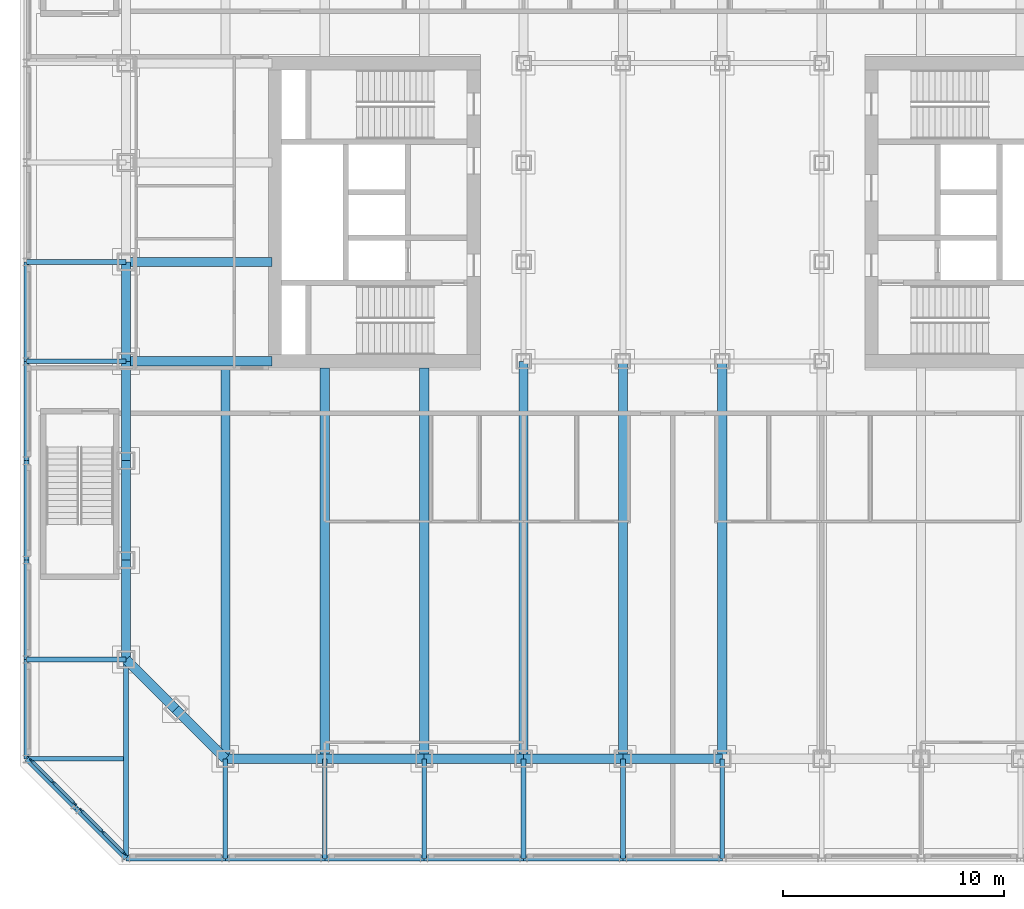
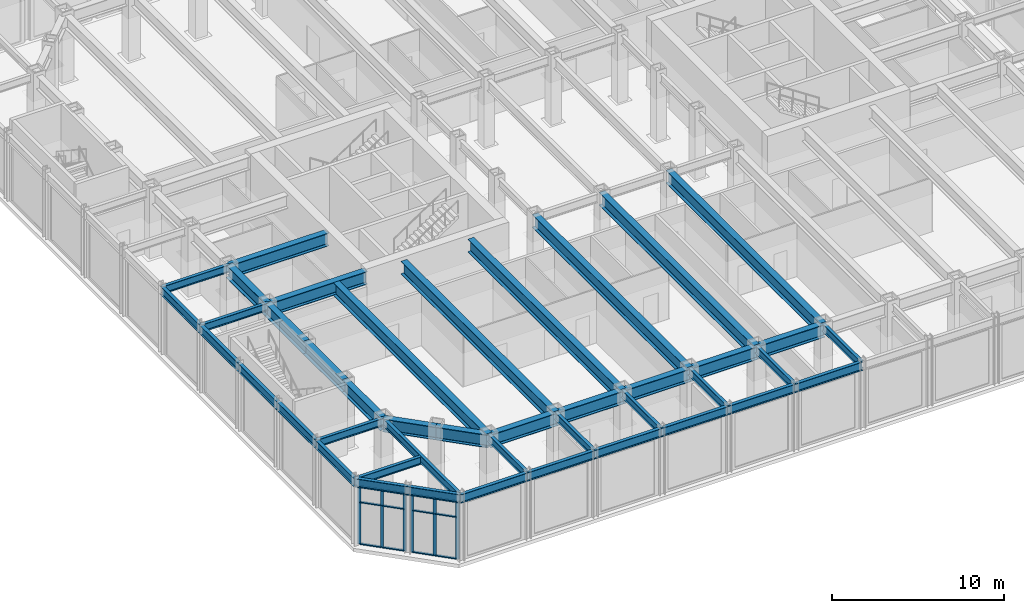
# One storey, part 4 of 19: 43 beams, 18 members, 2 elements without a shape of their own.
"""IFC4 building model written with IfcOpenShell, lengths in metres."""

from ifc_helpers import new_model, si_unit, direction, frame, origin, origin_2d, place, context, subcontext, project, spatial, rectangle, i_section, extrude, material, material_profile, profile_set, type_object, element, aggregate, save


model = new_model("IFC4")

# Units and contexts
model_context = context("Model", 3, precision=1e-05, world=origin(), true_north=direction((0.0, 1.0)))
body_context = subcontext(model_context, "Body", "Model", "MODEL_VIEW")
ifc_project = project(units=[si_unit("LENGTHUNIT", "METRE"), si_unit("AREAUNIT", "SQUARE_METRE"), si_unit("VOLUMEUNIT", "CUBIC_METRE"), si_unit("PLANEANGLEUNIT", "RADIAN"), si_unit("MASSUNIT", "GRAM", prefix="KILO")], contexts=[model_context])

# Site, building, storey
site_placement = place(None, origin())
site = spatial("IfcSite", under=ifc_project, at=site_placement, CompositionType="ELEMENT")
building_placement = place(site_placement, origin())
building = spatial("IfcBuilding", under=site, at=building_placement, Name="Msasa Ring Tower", CompositionType="ELEMENT")
storey_placement = place(building_placement, frame((0.0, 0.0, 11.0)))
storey = spatial("IfcBuildingStorey", under=building, at=storey_placement, Name="L02", CompositionType="ELEMENT", Elevation=11.0)

# Curtain wall, members
ifc_material_1 = material(Name="Aluminium curtain wall with clear glass", Category="aluminium")
curtain_wall_type = type_object("IfcCurtainWallType", Name="CW-K PODIUM CORNER CURTAIN WALL", PredefinedType="NOTDEFINED", material=ifc_material_1)
curtain_wall_1_placement = place(storey_placement, origin())
curtain_wall_1 = element("IfcCurtainWall", 1, at=curtain_wall_1_placement, inside=storey, type_object=curtain_wall_type, Name="Podium corner curtain wall SW L02", PredefinedType="NOTDEFINED")
ifc_material_2 = material(Name="Aluminium mullion", Category="aluminium")
ifc_material_profile_1 = material_profile(ifc_material_2, rectangle(XDim=0.070068359375, YDim=0.199951171875, at=origin_2d()), Name="AL 70x200")
ifc_profile_set_1 = profile_set([ifc_material_profile_1], Name="Aluminium mullion")
member_type_1 = type_object("IfcMemberType", Name="CW-K MULLION 70x200", PredefinedType="MULLION", material=ifc_profile_set_1)
member_1_placement = place(storey_placement, frame((-29.02197265625, -24.836669921875, 0.0), z_axis=(0.0, 0.0, 1.0), x_axis=(0.707106781187, 0.707106781187, 0.0)))
member_1 = element("IfcMember", 2, at=member_1_placement, type_object=member_type_1, Name="CW-K mullion 1", PredefinedType="MULLION", context=body_context, shape_type="SweptSolid", body=[
    extrude(rectangle(XDim=0.070068359375, YDim=0.199951171875, at=origin_2d()), origin(), (0.0, 0.0, 1.0), 4.1328125),
])
member_2_placement = place(storey_placement, frame((-28.05419921875, -25.80419921875, 0.0), z_axis=(0.0, 0.0, 1.0), x_axis=(0.707106781187, 0.707106781187, 0.0)))
member_2 = element("IfcMember", 3, at=member_2_placement, type_object=member_type_1, Name="CW-K mullion 2", PredefinedType="MULLION", context=body_context, shape_type="SweptSolid", body=[
    extrude(rectangle(XDim=0.070068359375, YDim=0.199951171875, at=origin_2d()), origin(), (0.0, 0.0, 1.0), 4.1328125),
])
member_3_placement = place(storey_placement, frame((-27.086669921875, -26.77197265625, 0.0), z_axis=(0.0, 0.0, 1.0), x_axis=(0.707106781187, 0.707106781187, 0.0)))
member_3 = element("IfcMember", 4, at=member_3_placement, type_object=member_type_1, Name="CW-K mullion 3", PredefinedType="MULLION", context=body_context, shape_type="SweptSolid", body=[
    extrude(rectangle(XDim=0.070068359375, YDim=0.199951171875, at=origin_2d()), origin(), (0.0, 0.0, 1.0), 4.1328125),
])

curtain_wall_2_placement = place(storey_placement, origin())
curtain_wall_2 = element("IfcCurtainWall", 5, at=curtain_wall_2_placement, inside=storey, type_object=curtain_wall_type, Name="Podium corner curtain wall SW L02", PredefinedType="NOTDEFINED")
member_4_placement = place(storey_placement, frame((-26.77197265625, -27.086669921875, 0.0), z_axis=(0.0, 0.0, 1.0), x_axis=(0.707106781187, 0.707106781187, 0.0)))
member_4 = element("IfcMember", 6, at=member_4_placement, type_object=member_type_1, Name="CW-K mullion 1", PredefinedType="MULLION", context=body_context, shape_type="SweptSolid", body=[
    extrude(rectangle(XDim=0.070068359375, YDim=0.199951171875, at=origin_2d()), origin(), (0.0, 0.0, 1.0), 4.1328125),
])
member_5_placement = place(storey_placement, frame((-25.80419921875, -28.05419921875, 0.0), z_axis=(0.0, 0.0, 1.0), x_axis=(0.707106781187, 0.707106781187, 0.0)))
member_5 = element("IfcMember", 7, at=member_5_placement, type_object=member_type_1, Name="CW-K mullion 2", PredefinedType="MULLION", context=body_context, shape_type="SweptSolid", body=[
    extrude(rectangle(XDim=0.070068359375, YDim=0.199951171875, at=origin_2d()), origin(), (0.0, 0.0, 1.0), 4.1328125),
])
member_6_placement = place(storey_placement, frame((-24.836669921875, -29.02197265625, 0.0), z_axis=(0.0, 0.0, 1.0), x_axis=(0.707106781187, 0.707106781187, 0.0)))
member_6 = element("IfcMember", 8, at=member_6_placement, type_object=member_type_1, Name="CW-K mullion 3", PredefinedType="MULLION", context=body_context, shape_type="SweptSolid", body=[
    extrude(rectangle(XDim=0.070068359375, YDim=0.199951171875, at=origin_2d()), origin(), (0.0, 0.0, 1.0), 4.1328125),
])

# Member
ifc_material_3 = material(Name="Aluminium transom", Category="aluminium")
ifc_material_profile_2 = material_profile(ifc_material_3, rectangle(XDim=0.14990234375, YDim=0.070068359375, at=origin_2d()), Name="AL 70x150")
ifc_profile_set_2 = profile_set([ifc_material_profile_2], Name="Aluminium transom")
member_type_2 = type_object("IfcMemberType", Name="CW-K TRANSOM 70x150", PredefinedType="USERDEFINED", material=ifc_profile_set_2)
member_7_placement = place(storey_placement, frame((-28.9970703125, -24.861572265625, 0.034912109375), z_axis=(0.707106781187, -0.707106781187, 0.0), x_axis=(0.707106781187, 0.707106781187, 0.0)))
member_7 = element("IfcMember", 9, at=member_7_placement, type_object=member_type_2, Name="CW-K transom 1.1", ObjectType="TRANSOM", PredefinedType="USERDEFINED", context=body_context, shape_type="SweptSolid", body=[
    extrude(rectangle(XDim=0.14990234375, YDim=0.070068359375, at=origin_2d()), origin(), (0.0, 0.0, 1.0), 1.298095703125),
])

member_8_placement = place(storey_placement, frame((-28.9970703125, -24.861572265625, 3.0), z_axis=(0.707106781187, -0.707106781187, 0.0), x_axis=(0.707106781187, 0.707106781187, 0.0)))
member_8 = element("IfcMember", 10, at=member_8_placement, type_object=member_type_2, Name="CW-K transom 1.2", ObjectType="TRANSOM", PredefinedType="USERDEFINED", context=body_context, shape_type="SweptSolid", body=[
    extrude(rectangle(XDim=0.14990234375, YDim=0.070068359375, at=origin_2d()), origin(), (0.0, 0.0, 1.0), 1.298095703125),
])

member_9_placement = place(storey_placement, frame((-28.9970703125, -24.861572265625, 4.097900390625), z_axis=(0.707106781187, -0.707106781187, 0.0), x_axis=(0.707106781187, 0.707106781187, 0.0)))
member_9 = element("IfcMember", 11, at=member_9_placement, type_object=member_type_2, Name="CW-K transom 1.3", ObjectType="TRANSOM", PredefinedType="USERDEFINED", context=body_context, shape_type="SweptSolid", body=[
    extrude(rectangle(XDim=0.14990234375, YDim=0.070068359375, at=origin_2d()), origin(), (0.0, 0.0, 1.0), 1.298095703125),
])

member_10_placement = place(storey_placement, frame((-28.029541015625, -25.8291015625, 0.034912109375), z_axis=(0.707106781187, -0.707106781187, 0.0), x_axis=(0.707106781187, 0.707106781187, 0.0)))
member_10 = element("IfcMember", 12, at=member_10_placement, type_object=member_type_2, Name="CW-K transom 2.1", ObjectType="TRANSOM", PredefinedType="USERDEFINED", context=body_context, shape_type="SweptSolid", body=[
    extrude(rectangle(XDim=0.14990234375, YDim=0.070068359375, at=origin_2d()), origin(), (0.0, 0.0, 1.0), 1.298095703125),
])

member_11_placement = place(storey_placement, frame((-28.029541015625, -25.8291015625, 3.0), z_axis=(0.707106781187, -0.707106781187, 0.0), x_axis=(0.707106781187, 0.707106781187, 0.0)))
member_11 = element("IfcMember", 13, at=member_11_placement, type_object=member_type_2, Name="CW-K transom 2.2", ObjectType="TRANSOM", PredefinedType="USERDEFINED", context=body_context, shape_type="SweptSolid", body=[
    extrude(rectangle(XDim=0.14990234375, YDim=0.070068359375, at=origin_2d()), origin(), (0.0, 0.0, 1.0), 1.298095703125),
])

member_12_placement = place(storey_placement, frame((-28.029541015625, -25.8291015625, 4.097900390625), z_axis=(0.707106781187, -0.707106781187, 0.0), x_axis=(0.707106781187, 0.707106781187, 0.0)))
member_12 = element("IfcMember", 14, at=member_12_placement, type_object=member_type_2, Name="CW-K transom 2.3", ObjectType="TRANSOM", PredefinedType="USERDEFINED", context=body_context, shape_type="SweptSolid", body=[
    extrude(rectangle(XDim=0.14990234375, YDim=0.070068359375, at=origin_2d()), origin(), (0.0, 0.0, 1.0), 1.298095703125),
])

aggregate(curtain_wall_1, [member_1, member_2, member_3, member_7, member_8, member_9, member_10, member_11, member_12])

member_13_placement = place(storey_placement, frame((-26.7470703125, -27.111572265625, 0.034912109375), z_axis=(0.707106781187, -0.707106781187, 0.0), x_axis=(0.707106781187, 0.707106781187, 0.0)))
member_13 = element("IfcMember", 15, at=member_13_placement, type_object=member_type_2, Name="CW-K transom 1.1", ObjectType="TRANSOM", PredefinedType="USERDEFINED", context=body_context, shape_type="SweptSolid", body=[
    extrude(rectangle(XDim=0.14990234375, YDim=0.070068359375, at=origin_2d()), origin(), (0.0, 0.0, 1.0), 1.298095703125),
])

member_14_placement = place(storey_placement, frame((-26.7470703125, -27.111572265625, 3.0), z_axis=(0.707106781187, -0.707106781187, 0.0), x_axis=(0.707106781187, 0.707106781187, 0.0)))
member_14 = element("IfcMember", 16, at=member_14_placement, type_object=member_type_2, Name="CW-K transom 1.2", ObjectType="TRANSOM", PredefinedType="USERDEFINED", context=body_context, shape_type="SweptSolid", body=[
    extrude(rectangle(XDim=0.14990234375, YDim=0.070068359375, at=origin_2d()), origin(), (0.0, 0.0, 1.0), 1.298095703125),
])

member_15_placement = place(storey_placement, frame((-26.7470703125, -27.111572265625, 4.097900390625), z_axis=(0.707106781187, -0.707106781187, 0.0), x_axis=(0.707106781187, 0.707106781187, 0.0)))
member_15 = element("IfcMember", 17, at=member_15_placement, type_object=member_type_2, Name="CW-K transom 1.3", ObjectType="TRANSOM", PredefinedType="USERDEFINED", context=body_context, shape_type="SweptSolid", body=[
    extrude(rectangle(XDim=0.14990234375, YDim=0.070068359375, at=origin_2d()), origin(), (0.0, 0.0, 1.0), 1.298095703125),
])

member_16_placement = place(storey_placement, frame((-25.779541015625, -28.0791015625, 0.034912109375), z_axis=(0.707106781187, -0.707106781187, 0.0), x_axis=(0.707106781187, 0.707106781187, 0.0)))
member_16 = element("IfcMember", 18, at=member_16_placement, type_object=member_type_2, Name="CW-K transom 2.1", ObjectType="TRANSOM", PredefinedType="USERDEFINED", context=body_context, shape_type="SweptSolid", body=[
    extrude(rectangle(XDim=0.14990234375, YDim=0.070068359375, at=origin_2d()), origin(), (0.0, 0.0, 1.0), 1.298095703125),
])

member_17_placement = place(storey_placement, frame((-25.779541015625, -28.0791015625, 3.0), z_axis=(0.707106781187, -0.707106781187, 0.0), x_axis=(0.707106781187, 0.707106781187, 0.0)))
member_17 = element("IfcMember", 19, at=member_17_placement, type_object=member_type_2, Name="CW-K transom 2.2", ObjectType="TRANSOM", PredefinedType="USERDEFINED", context=body_context, shape_type="SweptSolid", body=[
    extrude(rectangle(XDim=0.14990234375, YDim=0.070068359375, at=origin_2d()), origin(), (0.0, 0.0, 1.0), 1.298095703125),
])

member_18_placement = place(storey_placement, frame((-25.779541015625, -28.0791015625, 4.097900390625), z_axis=(0.707106781187, -0.707106781187, 0.0), x_axis=(0.707106781187, 0.707106781187, 0.0)))
member_18 = element("IfcMember", 20, at=member_18_placement, type_object=member_type_2, Name="CW-K transom 2.3", ObjectType="TRANSOM", PredefinedType="USERDEFINED", context=body_context, shape_type="SweptSolid", body=[
    extrude(rectangle(XDim=0.14990234375, YDim=0.070068359375, at=origin_2d()), origin(), (0.0, 0.0, 1.0), 1.298095703125),
])

aggregate(curtain_wall_2, [member_4, member_5, member_6, member_13, member_14, member_15, member_16, member_17, member_18])

# Beams
ifc_material_4 = material(Name="Steel S355", Category="steel")
ifc_material_profile_3 = material_profile(ifc_material_4, i_section(OverallWidth=0.41845703125, OverallDepth=0.911865234375, WebThickness=0.019287109375, FlangeThickness=0.031982421875, FilletRadius=0.024169921875, at=origin_2d()), Name="UB 914x419x343")
ifc_profile_set_3 = profile_set([ifc_material_profile_3], Name="Steel S355")
beam_type_1 = type_object("IfcBeamType", Name="FB1 UB 914x419x343", PredefinedType="BEAM", material=ifc_profile_set_3)
beam_1_placement = place(storey_placement, frame((-20.25, -24.75, 4.294189453125), z_axis=(0.0, 1.0, 0.0), x_axis=(-1.0, 0.0, 0.0)))
element("IfcBeam", 21, at=beam_1_placement, inside=storey, type_object=beam_type_1, Name="Floor beam S-20.25 under L03", PredefinedType="BEAM", context=body_context, shape_type="SweptSolid", body=[
    extrude(i_section(OverallWidth=0.41845703125, OverallDepth=0.911865234375, WebThickness=0.019287109375, FlangeThickness=0.031982421875, FilletRadius=0.024169921875, at=origin_2d()), origin(), (0.0, 0.0, 1.0), 17.789794921875),
])
for number, where, z_axis, x_axis, name in (
    (22, (-15.75, -24.75, 4.294189453125), (0.0, 1.0, 0.0), (-1.0, 0.0, 0.0), "Floor beam S-15.75 under L03"),
    (23, (-11.25, -24.75, 4.294189453125), (0.0, 1.0, 0.0), (-1.0, 0.0, 0.0), "Floor beam S-11.25 under L03"),
):
    element("IfcBeam", number, at=place(storey_placement, frame(where, z_axis=z_axis, x_axis=x_axis)), inside=storey, type_object=beam_type_1, Name=name, PredefinedType="BEAM", context=body_context, shape_type="SweptSolid", body=[
        extrude(i_section(OverallWidth=0.41845703125, OverallDepth=0.911865234375, WebThickness=0.019287109375, FlangeThickness=0.031982421875, FilletRadius=0.024169921875, at=origin_2d()), origin(), (0.0, 0.0, 1.0), 17.699951171875),
    ])
for number, where, z_axis, x_axis, name in (
    (24, (-6.75, -24.75, 4.294189453125), (0.0, 1.0, 0.0), (-1.0, 0.0, 0.0), "Floor beam S-6.75 under L03"),
    (25, (-2.25, -24.75, 4.294189453125), (0.0, 1.0, 0.0), (-1.0, 0.0, 0.0), "Floor beam S-2.25 under L03"),
    (26, (2.25, -24.75, 4.294189453125), (0.0, 1.0, 0.0), (-1.0, 0.0, 0.0), "Floor beam S+2.25 under L03"),
):
    element("IfcBeam", number, at=place(storey_placement, frame(where, z_axis=z_axis, x_axis=x_axis)), inside=storey, type_object=beam_type_1, Name=name, PredefinedType="BEAM", context=body_context, shape_type="SweptSolid", body=[
        extrude(i_section(OverallWidth=0.41845703125, OverallDepth=0.911865234375, WebThickness=0.019287109375, FlangeThickness=0.031982421875, FilletRadius=0.024169921875, at=origin_2d()), origin(), (0.0, 0.0, 1.0), 18.0),
    ])
ifc_material_5 = material(Name="Steel S355", Category="steel")
ifc_material_profile_4 = material_profile(ifc_material_5, i_section(OverallWidth=0.42041015625, OverallDepth=0.9208984375, WebThickness=0.021484375, FlangeThickness=0.03662109375, FilletRadius=0.024169921875, at=origin_2d()), Name="UB 914x419x388")
ifc_profile_set_4 = profile_set([ifc_material_profile_4], Name="Steel S355")
beam_type_2 = type_object("IfcBeamType", Name="FB2 UB 914x419x388", PredefinedType="BEAM", material=ifc_profile_set_4)
beam_2_placement = place(storey_placement, frame((-24.75, -2.25, 4.28955078125), z_axis=(1.0, 0.0, 0.0), x_axis=(0.0, 1.0, 0.0)))
element("IfcBeam", 27, at=beam_2_placement, inside=storey, type_object=beam_type_2, Name="Floor beam W -2.25 under L03", PredefinedType="BEAM", context=body_context, shape_type="SweptSolid", body=[
    extrude(i_section(OverallWidth=0.42041015625, OverallDepth=0.9208984375, WebThickness=0.021484375, FlangeThickness=0.03662109375, FilletRadius=0.024169921875, at=origin_2d()), origin(), (0.0, 0.0, 1.0), 6.60009765625),
])
ifc_material_6 = material(Name="Steel S355", Category="steel")
ifc_material_profile_5 = material_profile(ifc_material_6, i_section(OverallWidth=0.42041015625, OverallDepth=0.9208984375, WebThickness=0.021484375, FlangeThickness=0.03662109375, FilletRadius=0.024169921875, at=origin_2d()), Name="UB 914x419x388")
ifc_profile_set_5 = profile_set([ifc_material_profile_5], Name="Steel S355")
beam_type_3 = type_object("IfcBeamType", Name="GB1 UB 914x419x388", PredefinedType="BEAM", material=ifc_profile_set_5)
beam_3_placement = place(storey_placement, frame((-18.14990234375, -6.75, 4.28955078125), z_axis=(-1.0, 0.0, 0.0), x_axis=(0.0, -1.0, 0.0)))
element("IfcBeam", 28, at=beam_3_placement, inside=storey, type_object=beam_type_3, Name="Girder W -6.75 under L03", PredefinedType="BEAM", context=body_context, shape_type="SweptSolid", body=[
    extrude(i_section(OverallWidth=0.42041015625, OverallDepth=0.9208984375, WebThickness=0.021484375, FlangeThickness=0.03662109375, FilletRadius=0.024169921875, at=origin_2d()), origin(), (0.0, 0.0, 1.0), 6.60009765625),
])
ifc_material_7 = material(Name="Steel S355", Category="steel")
ifc_material_profile_6 = material_profile(ifc_material_7, i_section(OverallWidth=0.2119140625, OverallDepth=0.54443359375, WebThickness=0.0126953125, FlangeThickness=0.021240234375, FilletRadius=0.0126953125, at=origin_2d()), Name="UB 533x210x122")
ifc_profile_set_6 = profile_set([ifc_material_profile_6], Name="Steel S355")
beam_type_4 = type_object("IfcBeamType", Name="PB1 UB 533x210x122", PredefinedType="BEAM", material=ifc_profile_set_6)
beam_4_placement = place(storey_placement, frame((-24.75, -29.25, 4.477783203125), z_axis=(0.0, 1.0, 0.0), x_axis=(-1.0, 0.0, 0.0)))
element("IfcBeam", 29, at=beam_4_placement, inside=storey, type_object=beam_type_4, Name="Podium beam S-24.75 under L03", PredefinedType="BEAM", context=body_context, shape_type="SweptSolid", body=[
    extrude(i_section(OverallWidth=0.2119140625, OverallDepth=0.54443359375, WebThickness=0.0126953125, FlangeThickness=0.021240234375, FilletRadius=0.0126953125, at=origin_2d()), origin(), (0.0, 0.0, 1.0), 9.0),
])
beam_5_placement = place(storey_placement, frame((-29.25, -24.75, 4.477783203125), z_axis=(1.0, 0.0, 0.0), x_axis=(0.0, 1.0, 0.0)))
element("IfcBeam", 30, at=beam_5_placement, inside=storey, type_object=beam_type_4, Name="Podium beam W-24.75 under L03", PredefinedType="BEAM", context=body_context, shape_type="SweptSolid", body=[
    extrude(i_section(OverallWidth=0.2119140625, OverallDepth=0.54443359375, WebThickness=0.0126953125, FlangeThickness=0.021240234375, FilletRadius=0.0126953125, at=origin_2d()), origin(), (0.0, 0.0, 1.0), 4.39404296875),
])
for number, where, z_axis, x_axis, name in (
    (31, (-20.25, -29.25, 4.477783203125), (0.0, 1.0, 0.0), (-1.0, 0.0, 0.0), "Podium beam S-20.25 under L03"),
    (32, (-29.25, -20.25, 4.477783203125), (1.0, 0.0, 0.0), (0.0, 1.0, 0.0), "Podium beam W-20.25 under L03"),
    (33, (-15.75, -29.25, 4.477783203125), (0.0, 1.0, 0.0), (-1.0, 0.0, 0.0), "Podium beam S-15.75 under L03"),
    (34, (-11.25, -29.25, 4.477783203125), (0.0, 1.0, 0.0), (-1.0, 0.0, 0.0), "Podium beam S-11.25 under L03"),
    (35, (-6.75, -29.25, 4.477783203125), (0.0, 1.0, 0.0), (-1.0, 0.0, 0.0), "Podium beam S-6.75 under L03"),
    (36, (-29.25, -6.75, 4.477783203125), (1.0, 0.0, 0.0), (0.0, 1.0, 0.0), "Podium beam W-6.75 under L03"),
    (37, (-2.25, -29.25, 4.477783203125), (0.0, 1.0, 0.0), (-1.0, 0.0, 0.0), "Podium beam S-2.25 under L03"),
    (38, (-29.25, -2.25, 4.477783203125), (1.0, 0.0, 0.0), (0.0, 1.0, 0.0), "Podium beam W-2.25 under L03"),
    (39, (2.25, -29.25, 4.477783203125), (0.0, 1.0, 0.0), (-1.0, 0.0, 0.0), "Podium beam S+2.25 under L03"),
):
    element("IfcBeam", number, at=place(storey_placement, frame(where, z_axis=z_axis, x_axis=x_axis)), inside=storey, type_object=beam_type_4, Name=name, PredefinedType="BEAM", context=body_context, shape_type="SweptSolid", body=[
        extrude(i_section(OverallWidth=0.2119140625, OverallDepth=0.54443359375, WebThickness=0.0126953125, FlangeThickness=0.021240234375, FilletRadius=0.0126953125, at=origin_2d()), origin(), (0.0, 0.0, 1.0), 4.5),
    ])
ifc_material_8 = material(Name="Steel S355", Category="steel")
ifc_material_profile_7 = material_profile(ifc_material_8, i_section(OverallWidth=0.42041015625, OverallDepth=0.9208984375, WebThickness=0.021484375, FlangeThickness=0.03662109375, FilletRadius=0.024169921875, at=origin_2d()), Name="UB 914x419x388")
ifc_profile_set_7 = profile_set([ifc_material_profile_7], Name="Steel S355")
beam_type_5 = type_object("IfcBeamType", Name="SB1 UB 914x419x388", PredefinedType="SPANDREL", material=ifc_profile_set_7)
for number, where, z_axis, x_axis, name in (
    (40, (-24.75, -2.25, 4.28955078125), (0.0, -1.0, 0.0), (1.0, 0.0, 0.0), "Spandrel W-2.25 to W-6.75 under L03"),
    (41, (-24.75, -6.75, 4.28955078125), (0.0, -1.0, 0.0), (1.0, 0.0, 0.0), "Spandrel W-6.75 to W-11.25 under L03"),
    (42, (-24.75, -11.25, 4.28955078125), (0.0, -1.0, 0.0), (1.0, 0.0, 0.0), "Spandrel W-11.25 to W-15.75 under L03"),
    (43, (-24.75, -15.75, 4.28955078125), (0.0, -1.0, 0.0), (1.0, 0.0, 0.0), "Spandrel W-15.75 to W-20.25 under L03"),
):
    element("IfcBeam", number, at=place(storey_placement, frame(where, z_axis=z_axis, x_axis=x_axis)), inside=storey, type_object=beam_type_5, Name=name, PredefinedType="SPANDREL", context=body_context, shape_type="SweptSolid", body=[
        extrude(i_section(OverallWidth=0.42041015625, OverallDepth=0.9208984375, WebThickness=0.021484375, FlangeThickness=0.03662109375, FilletRadius=0.024169921875, at=origin_2d()), origin(), (0.0, 0.0, 1.0), 4.5),
    ])
for number, where, z_axis, x_axis, name in (
    (44, (-24.75, -20.25, 4.28955078125), (0.707106781187, -0.707106781187, 0.0), (0.707106781187, 0.707106781187, 0.0), "Spandrel W-20.25 to SW under L03"),
    (45, (-22.5, -22.5, 4.28955078125), (0.707106781187, -0.707106781187, 0.0), (0.707106781187, 0.707106781187, 0.0), "Spandrel SW to S-20.25 under L03"),
):
    element("IfcBeam", number, at=place(storey_placement, frame(where, z_axis=z_axis, x_axis=x_axis)), inside=storey, type_object=beam_type_5, Name=name, PredefinedType="SPANDREL", context=body_context, shape_type="SweptSolid", body=[
        extrude(i_section(OverallWidth=0.42041015625, OverallDepth=0.9208984375, WebThickness=0.021484375, FlangeThickness=0.03662109375, FilletRadius=0.024169921875, at=origin_2d()), origin(), (0.0, 0.0, 1.0), 3.181884765625),
    ])
for number, where, z_axis, x_axis, name in (
    (46, (-20.25, -24.75, 4.28955078125), (1.0, 0.0, 0.0), (0.0, 1.0, 0.0), "Spandrel S-20.25 to S-15.75 under L03"),
    (47, (-15.75, -24.75, 4.28955078125), (1.0, 0.0, 0.0), (0.0, 1.0, 0.0), "Spandrel S-15.75 to S-11.25 under L03"),
    (48, (-11.25, -24.75, 4.28955078125), (1.0, 0.0, 0.0), (0.0, 1.0, 0.0), "Spandrel S-11.25 to S-6.75 under L03"),
    (49, (-6.75, -24.75, 4.28955078125), (1.0, 0.0, 0.0), (0.0, 1.0, 0.0), "Spandrel S-6.75 to S-2.25 under L03"),
    (50, (-2.25, -24.75, 4.28955078125), (1.0, 0.0, 0.0), (0.0, 1.0, 0.0), "Spandrel S-2.25 to S+2.25 under L03"),
):
    element("IfcBeam", number, at=place(storey_placement, frame(where, z_axis=z_axis, x_axis=x_axis)), inside=storey, type_object=beam_type_5, Name=name, PredefinedType="SPANDREL", context=body_context, shape_type="SweptSolid", body=[
        extrude(i_section(OverallWidth=0.42041015625, OverallDepth=0.9208984375, WebThickness=0.021484375, FlangeThickness=0.03662109375, FilletRadius=0.024169921875, at=origin_2d()), origin(), (0.0, 0.0, 1.0), 4.5),
    ])
ifc_material_9 = material(Name="Steel S355", Category="steel")
ifc_material_profile_8 = material_profile(ifc_material_9, i_section(OverallWidth=0.230224609375, OverallDepth=0.6171875, WebThickness=0.01318359375, FlangeThickness=0.022216796875, FilletRadius=0.0126953125, at=origin_2d()), Name="UB 610x229x140")
ifc_profile_set_8 = profile_set([ifc_material_profile_8], Name="Steel S355")
beam_type_6 = type_object("IfcBeamType", Name="SB2 UB 610x229x140", PredefinedType="SPANDREL", material=ifc_profile_set_8)
for number, where, z_axis, x_axis, name in (
    (51, (-29.25, -2.25, 4.44140625), (0.0, -1.0, 0.0), (1.0, 0.0, 0.0), "Podium spandrel W-2.25 under L03"),
    (52, (-29.25, -6.75, 4.44140625), (0.0, -1.0, 0.0), (1.0, 0.0, 0.0), "Podium spandrel W-6.75 under L03"),
    (53, (-29.25, -11.25, 4.44140625), (0.0, -1.0, 0.0), (1.0, 0.0, 0.0), "Podium spandrel W-11.25 under L03"),
    (54, (-29.25, -15.75, 4.44140625), (0.0, -1.0, 0.0), (1.0, 0.0, 0.0), "Podium spandrel W-15.75 under L03"),
    (55, (-29.25, -20.25, 4.44140625), (0.0, -1.0, 0.0), (1.0, 0.0, 0.0), "Podium spandrel W-20.25 under L03"),
):
    element("IfcBeam", number, at=place(storey_placement, frame(where, z_axis=z_axis, x_axis=x_axis)), inside=storey, type_object=beam_type_6, Name=name, PredefinedType="SPANDREL", context=body_context, shape_type="SweptSolid", body=[
        extrude(i_section(OverallWidth=0.230224609375, OverallDepth=0.6171875, WebThickness=0.01318359375, FlangeThickness=0.022216796875, FilletRadius=0.0126953125, at=origin_2d()), origin(), (0.0, 0.0, 1.0), 4.5),
    ])
for number, where, z_axis, x_axis, name in (
    (56, (-29.25, -24.75, 4.44140625), (0.707106781187, -0.707106781187, 0.0), (0.707106781187, 0.707106781187, 0.0), "Podium spandrel W-24.75 under L03"),
    (57, (-27.0, -27.0, 4.44140625), (0.707106781187, -0.707106781187, 0.0), (0.707106781187, 0.707106781187, 0.0), "Podium spandrel SW under L03"),
):
    element("IfcBeam", number, at=place(storey_placement, frame(where, z_axis=z_axis, x_axis=x_axis)), inside=storey, type_object=beam_type_6, Name=name, PredefinedType="SPANDREL", context=body_context, shape_type="SweptSolid", body=[
        extrude(i_section(OverallWidth=0.230224609375, OverallDepth=0.6171875, WebThickness=0.01318359375, FlangeThickness=0.022216796875, FilletRadius=0.0126953125, at=origin_2d()), origin(), (0.0, 0.0, 1.0), 3.181884765625),
    ])
for number, where, z_axis, x_axis, name in (
    (58, (-24.75, -29.25, 4.44140625), (1.0, 0.0, 0.0), (0.0, 1.0, 0.0), "Podium spandrel S-24.75 under L03"),
    (59, (-20.25, -29.25, 4.44140625), (1.0, 0.0, 0.0), (0.0, 1.0, 0.0), "Podium spandrel S-20.25 under L03"),
    (60, (-15.75, -29.25, 4.44140625), (1.0, 0.0, 0.0), (0.0, 1.0, 0.0), "Podium spandrel S-15.75 under L03"),
    (61, (-11.25, -29.25, 4.44140625), (1.0, 0.0, 0.0), (0.0, 1.0, 0.0), "Podium spandrel S-11.25 under L03"),
    (62, (-6.75, -29.25, 4.44140625), (1.0, 0.0, 0.0), (0.0, 1.0, 0.0), "Podium spandrel S-6.75 under L03"),
    (63, (-2.25, -29.25, 4.44140625), (1.0, 0.0, 0.0), (0.0, 1.0, 0.0), "Podium spandrel S-2.25 under L03"),
):
    element("IfcBeam", number, at=place(storey_placement, frame(where, z_axis=z_axis, x_axis=x_axis)), inside=storey, type_object=beam_type_6, Name=name, PredefinedType="SPANDREL", context=body_context, shape_type="SweptSolid", body=[
        extrude(i_section(OverallWidth=0.230224609375, OverallDepth=0.6171875, WebThickness=0.01318359375, FlangeThickness=0.022216796875, FilletRadius=0.0126953125, at=origin_2d()), origin(), (0.0, 0.0, 1.0), 4.5),
    ])

save(model, "model.ifc")
